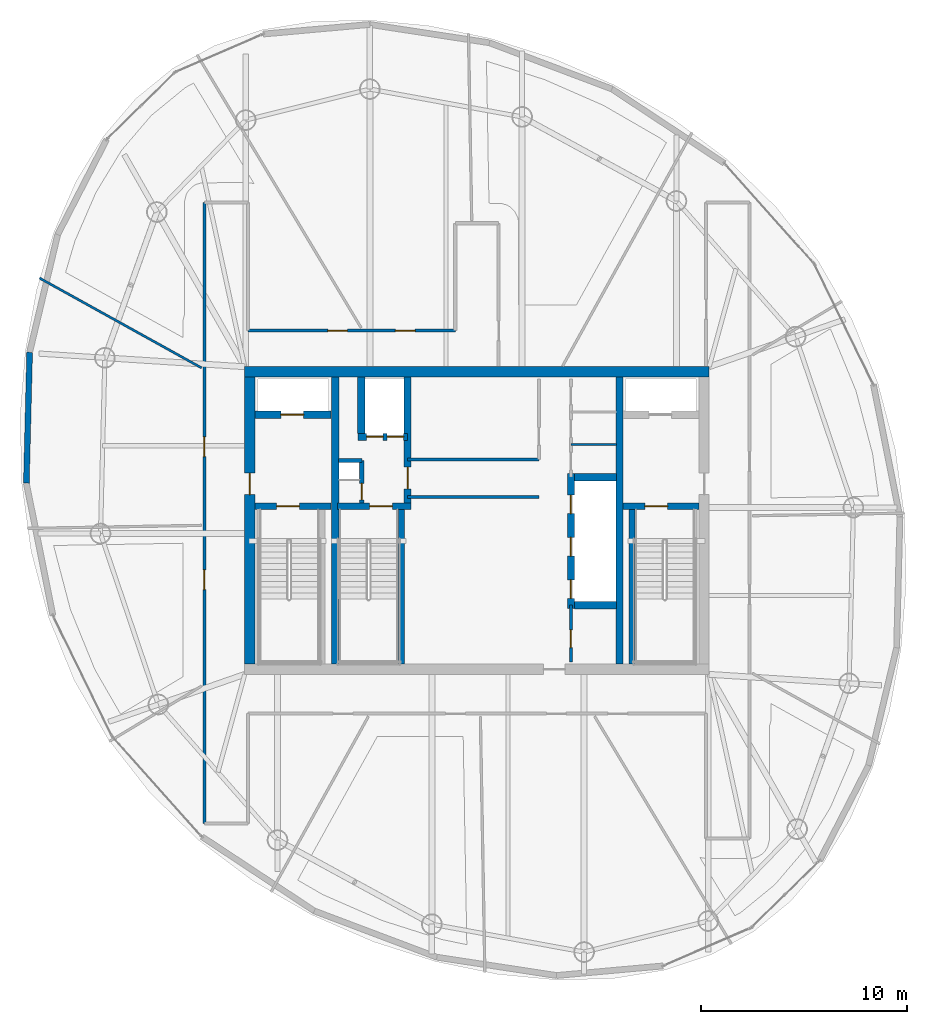
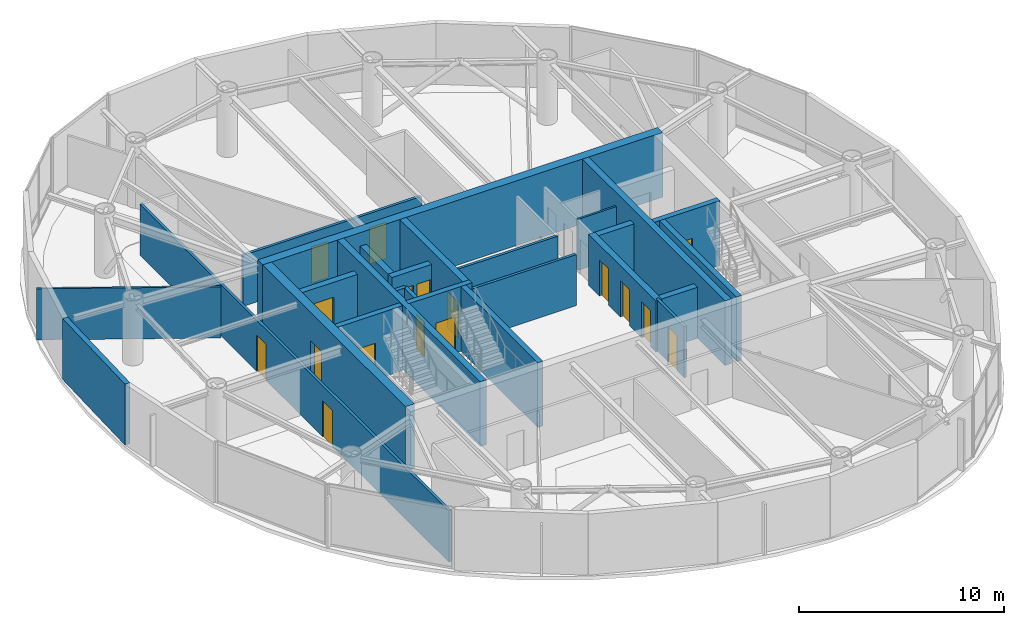
# One storey, part 16 of 21: 26 walls, 17 doors, 17 openings.
"""IFC4 building model written with IfcOpenShell, lengths in metres."""

from ifc_helpers import new_model, si_unit, direction, frame, frame_2d, origin, place, context, subcontext, project, spatial, rectangle, extrude, material, layer, layer_set, type_object, element, fill, save


model = new_model("IFC4")

# Units and contexts
model_context = context("Model", 3, precision=1e-05, world=origin(), true_north=direction((0.0, 1.0)))
body_context = subcontext(model_context, "Body", "Model", "MODEL_VIEW")
ifc_project = project(units=[si_unit("LENGTHUNIT", "METRE"), si_unit("AREAUNIT", "SQUARE_METRE"), si_unit("VOLUMEUNIT", "CUBIC_METRE"), si_unit("PLANEANGLEUNIT", "RADIAN"), si_unit("MASSUNIT", "GRAM", prefix="KILO")], contexts=[model_context])

# Site, building, storey
site_placement = place(None, origin())
site = spatial("IfcSite", under=ifc_project, at=site_placement, CompositionType="ELEMENT")
building_placement = place(site_placement, origin())
building = spatial("IfcBuilding", under=site, at=building_placement, Name="Bramvorn Convention Spire", CompositionType="ELEMENT")
storey_placement = place(building_placement, frame((0.0, 0.0, 257.449951171875)))
storey = spatial("IfcBuildingStorey", under=building, at=storey_placement, Name="L65", CompositionType="ELEMENT", Elevation=257.449951171875)

# Wall
ifc_material_1 = material(Name="Concrete C50/60", Category="concrete")
ifc_layer_1 = layer(ifc_material_1, 0.5)
ifc_layer_set_1 = layer_set([ifc_layer_1], Name="Concrete C50/60 - WL-CORE-500")
wall_type_1 = type_object("IfcWallType", Name="WL-CORE-500", PredefinedType="SHEAR", material=ifc_layer_set_1)
wall_1_placement = place(storey_placement, frame((26.75, 33.199951171875, 0.0), z_axis=(0.0, 0.0, 1.0), x_axis=(1.0, 0.0, 0.0)))
element("IfcWall", 1, at=wall_1_placement, inside=storey, type_object=wall_type_1, Name="L65 North RC core shear wall", PredefinedType="SHEAR", context=body_context, shape_type="SweptSolid", body=[
    extrude(rectangle(XDim=22.5, YDim=0.5, at=frame_2d((11.25, 0.0))), origin(), (0.0, 0.0, 1.0), 3.85009765625),
])

# Wall, opening, door
wall_2_placement = place(storey_placement, frame((27.0, 19.050048828125, 0.0), z_axis=(0.0, 0.0, 1.0), x_axis=(0.0, 1.0, 0.0)))
wall_2 = element("IfcWall", 2, at=wall_2_placement, inside=storey, type_object=wall_type_1, Name="L65 West RC core shear wall", PredefinedType="SHEAR", context=body_context, shape_type="SweptSolid", body=[
    extrude(rectangle(XDim=13.89990234375, YDim=0.5, at=frame_2d((6.949951171875, 0.0))), origin(), (0.0, 0.0, 1.0), 3.85009765625),
])
opening_1_placement = place(wall_2_placement, frame((8.199951171875, 0.0, 0.0)))
opening_1 = element("IfcOpeningElement", 3, at=opening_1_placement, cuts=wall_2, Name="Opening DL-105", PredefinedType="OPENING", context=body_context, shape_type="SweptSolid", body=[
    extrude(rectangle(XDim=1.050048828125, YDim=2.14990234375, at=frame_2d((0.52490234375, 1.074951171875))), frame((0.0, 0.260009765625, 0.0), z_axis=(0.0, -1.0, 0.0), x_axis=(1.0, 0.0, 0.0)), (0.0, 0.0, 1.0), 0.52001953125),
])
ifc_material_2 = material(Name="Smoke-Sealed Fire Lobby Timber-Core Door", Category="wood")
door_type_1 = type_object("IfcDoorType", Name="DR-LOBBY-1050", OperationType="NOTDEFINED", PredefinedType="DOOR", material=ifc_material_2)
door_1_placement = place(opening_1_placement, origin())
door_1 = element("IfcDoor", 4, at=door_1_placement, inside=storey, type_object=door_type_1, Name="L65 West Firefighting Lobby corridor door", OperationType="SINGLE_SWING_RIGHT", OverallHeight=2.14990234375, OverallWidth=1.050048828125, PredefinedType="DOOR", context=body_context, shape_type="SweptSolid", body=[
    extrude(rectangle(XDim=1.050048828125, YDim=2.14990234375, at=frame_2d((0.52490234375, 1.074951171875))), frame((0.0, 0.02490234375, 0.0), z_axis=(0.0, -1.0, 0.0), x_axis=(1.0, 0.0, 0.0)), (0.0, 0.0, 1.0), 0.050048828125),
])
fill(opening_1, door_1)

# Walls
ifc_layer_2 = layer(ifc_material_1, 0.35009765625)
ifc_layer_set_2 = layer_set([ifc_layer_2], Name="Concrete C50/60 - WL-CORE-INT-350")
wall_type_2 = type_object("IfcWallType", Name="WL-CORE-INT-350", PredefinedType="SHEAR", material=ifc_layer_set_2)
for number, where, z_axis, x_axis, name in (
    (5, (31.1298828125, 19.050048828125, 0.0), (0.0, 0.0, 1.0), (0.0, 1.0, 0.0), "L65 West internal core shear web"),
    (6, (44.89990234375, 19.050048828125, 0.0), (0.0, 0.0, 1.0), (0.0, 1.0, 0.0), "L65 East internal core shear web"),
):
    element("IfcWall", number, at=place(storey_placement, frame(where, z_axis=z_axis, x_axis=x_axis)), inside=storey, type_object=wall_type_2, Name=name, PredefinedType="SHEAR", context=body_context, shape_type="SweptSolid", body=[
        extrude(rectangle(XDim=13.89990234375, YDim=0.35009765625, at=frame_2d((6.949951171875, 0.0))), origin(), (0.0, 0.0, 1.0), 3.85009765625),
    ])

# Wall, opening, door
wall_3_placement = place(storey_placement, frame((27.25, 31.1201171875, 0.0), z_axis=(0.0, 0.0, 1.0), x_axis=(1.0, 0.0, 0.0)))
wall_3 = element("IfcWall", 7, at=wall_3_placement, inside=storey, type_object=wall_type_2, Name="L65 FE1 shaft front wall", PredefinedType="SHEAR", context=body_context, shape_type="SweptSolid", body=[
    extrude(rectangle(XDim=3.669921875, YDim=0.35009765625, at=frame_2d((1.8349609375, 0.0))), origin(), (0.0, 0.0, 1.0), 3.0400390625),
])
opening_2_placement = place(wall_3_placement, frame((1.25, 0.0, 0.0)))
opening_2 = element("IfcOpeningElement", 8, at=opening_2_placement, cuts=wall_3, Name="Opening LD-110", PredefinedType="OPENING", context=body_context, shape_type="SweptSolid", body=[
    extrude(rectangle(XDim=1.10009765625, YDim=2.14990234375, at=frame_2d((0.550048828125, 1.074951171875))), frame((0.0, 0.18505859375, 0.0), z_axis=(0.0, -1.0, 0.0), x_axis=(1.0, 0.0, 0.0)), (0.0, 0.0, 1.0), 0.3701171875),
])
ifc_material_3 = material(Name="Firefighting & Service Lift Sliding Landing Door", Category="steel")
door_type_2 = type_object("IfcDoorType", Name="DR-LIFT-LD-1100", OperationType="NOTDEFINED", PredefinedType="DOOR", material=ifc_material_3)
door_2_placement = place(opening_2_placement, origin())
door_2 = element("IfcDoor", 9, at=door_2_placement, inside=storey, type_object=door_type_2, Name="L65 Lift FE1 Sliding Landing Door", OperationType="SLIDING_TO_LEFT", OverallHeight=2.14990234375, OverallWidth=1.10009765625, PredefinedType="DOOR", context=body_context, shape_type="SweptSolid", body=[
    extrude(rectangle(XDim=1.10009765625, YDim=2.14990234375, at=frame_2d((0.550048828125, 1.074951171875))), frame((0.0, 0.02490234375, 0.0), z_axis=(0.0, -1.0, 0.0), x_axis=(1.0, 0.0, 0.0)), (0.0, 0.0, 1.0), 0.050048828125),
])
fill(opening_2, door_2)

wall_4_placement = place(storey_placement, frame((34.639892578125, 26.68994140625, 0.0), z_axis=(0.0, 0.0, 1.0), x_axis=(0.0, 1.0, 0.0)))
wall_4 = element("IfcWall", 10, at=wall_4_placement, inside=storey, type_object=wall_type_2, Name="L65 SV east core shaft wall", PredefinedType="SHEAR", context=body_context, shape_type="SweptSolid", body=[
    extrude(rectangle(XDim=6.260009765625, YDim=0.35009765625, at=frame_2d((3.1298828125, 0.0))), origin(), (0.0, 0.0, 1.0), 3.85009765625),
])
opening_3_placement = place(wall_4_placement, frame((0.85009765625, 0.0, 0.0)))
opening_3 = element("IfcOpeningElement", 11, at=opening_3_placement, cuts=wall_4, Name="Opening DL-105", PredefinedType="OPENING", context=body_context, shape_type="SweptSolid", body=[
    extrude(rectangle(XDim=1.050048828125, YDim=2.14990234375, at=frame_2d((0.52490234375, 1.074951171875))), frame((0.0, 0.18505859375, 0.0), z_axis=(0.0, -1.0, 0.0), x_axis=(1.0, 0.0, 0.0)), (0.0, 0.0, 1.0), 0.3701171875),
])
door_3_placement = place(opening_3_placement, origin())
door_3 = element("IfcDoor", 12, at=door_3_placement, inside=storey, type_object=door_type_1, Name="L65 Core cross-passage door", OperationType="SINGLE_SWING_RIGHT", OverallHeight=2.14990234375, OverallWidth=1.050048828125, PredefinedType="DOOR", context=body_context, shape_type="SweptSolid", body=[
    extrude(rectangle(XDim=1.050048828125, YDim=2.14990234375, at=frame_2d((0.52490234375, 1.074951171875))), frame((0.0, 0.02490234375, 0.0), z_axis=(0.0, -1.0, 0.0), x_axis=(1.0, 0.0, 0.0)), (0.0, 0.0, 1.0), 0.050048828125),
])
fill(opening_3, door_3)

# Wall, openings, doors
wall_5_placement = place(storey_placement, frame((32.22998046875, 30.050048828125, 0.0), z_axis=(0.0, 0.0, 1.0), x_axis=(1.0, 0.0, 0.0)))
wall_5 = element("IfcWall", 13, at=wall_5_placement, inside=storey, type_object=wall_type_2, Name="L65 SV1/SV2 shaft front wall", PredefinedType="SHEAR", context=body_context, shape_type="SweptSolid", body=[
    extrude(rectangle(XDim=2.409912109375, YDim=0.35009765625, at=frame_2d((1.205078125, 0.0))), origin(), (0.0, 0.0, 1.0), 3.0400390625),
])
opening_4_placement = place(wall_5_placement, frame((0.419921875, 0.0, 0.0)))
opening_4 = element("IfcOpeningElement", 14, at=opening_4_placement, cuts=wall_5, Name="Opening LD-080", PredefinedType="OPENING", context=body_context, shape_type="SweptSolid", body=[
    extrude(rectangle(XDim=0.800048828125, YDim=2.14990234375, at=frame_2d((0.39990234375, 1.074951171875))), frame((0.0, 0.18505859375, 0.0), z_axis=(0.0, -1.0, 0.0), x_axis=(1.0, 0.0, 0.0)), (0.0, 0.0, 1.0), 0.3701171875),
])
opening_5_placement = place(wall_5_placement, frame((1.419921875, 0.0, 0.0)))
opening_5 = element("IfcOpeningElement", 15, at=opening_5_placement, cuts=wall_5, Name="Opening LD-080", PredefinedType="OPENING", context=body_context, shape_type="SweptSolid", body=[
    extrude(rectangle(XDim=0.800048828125, YDim=2.14990234375, at=frame_2d((0.39990234375, 1.074951171875))), frame((0.0, 0.18505859375, 0.0), z_axis=(0.0, -1.0, 0.0), x_axis=(1.0, 0.0, 0.0)), (0.0, 0.0, 1.0), 0.3701171875),
])
ifc_material_4 = material(Name="Service Lift Bi-Parting Landing Door", Category="steel")
door_type_3 = type_object("IfcDoorType", Name="DR-LIFT-LD-800", OperationType="NOTDEFINED", PredefinedType="DOOR", material=ifc_material_4)
door_4_placement = place(opening_4_placement, origin())
door_4 = element("IfcDoor", 16, at=door_4_placement, inside=storey, type_object=door_type_3, Name="L65 Lift SV1 Sliding Landing Door", OperationType="SLIDING_TO_LEFT", OverallHeight=2.14990234375, OverallWidth=0.800048828125, PredefinedType="DOOR", context=body_context, shape_type="SweptSolid", body=[
    extrude(rectangle(XDim=0.800048828125, YDim=2.14990234375, at=frame_2d((0.39990234375, 1.074951171875))), frame((0.0, 0.02490234375, 0.0), z_axis=(0.0, -1.0, 0.0), x_axis=(1.0, 0.0, 0.0)), (0.0, 0.0, 1.0), 0.050048828125),
])
fill(opening_4, door_4)
door_5_placement = place(opening_5_placement, origin())
door_5 = element("IfcDoor", 17, at=door_5_placement, inside=storey, type_object=door_type_3, Name="L65 Lift SV2 Sliding Landing Door", OperationType="SLIDING_TO_LEFT", OverallHeight=2.14990234375, OverallWidth=0.800048828125, PredefinedType="DOOR", context=body_context, shape_type="SweptSolid", body=[
    extrude(rectangle(XDim=0.800048828125, YDim=2.14990234375, at=frame_2d((0.39990234375, 1.074951171875))), frame((0.0, 0.02490234375, 0.0), z_axis=(0.0, -1.0, 0.0), x_axis=(1.0, 0.0, 0.0)), (0.0, 0.0, 1.0), 0.050048828125),
])
fill(opening_5, door_5)

# Wall
wall_6_placement = place(storey_placement, frame((32.39990234375, 30.219970703125, 0.0), z_axis=(0.0, 0.0, 1.0), x_axis=(0.0, 1.0, 0.0)))
element("IfcWall", 18, at=wall_6_placement, inside=storey, type_object=wall_type_2, Name="L65 SV1 west hoistway wall", PredefinedType="SHEAR", context=body_context, shape_type="SweptSolid", body=[
    extrude(rectangle(XDim=2.72998046875, YDim=0.35009765625, at=frame_2d((1.364990234375, 0.0))), origin(), (0.0, 0.0, 1.0), 3.0400390625),
])

# Wall, openings, doors
wall_7_placement = place(storey_placement, frame((42.550048828125, 21.72998046875, 0.0), z_axis=(0.0, 0.0, 1.0), x_axis=(0.0, 1.0, 0.0)))
wall_7 = element("IfcWall", 19, at=wall_7_placement, inside=storey, type_object=wall_type_2, Name="L65 High-rise lift bank west wall", PredefinedType="SHEAR", context=body_context, shape_type="SweptSolid", body=[
    extrude(rectangle(XDim=6.5400390625, YDim=0.35009765625, at=frame_2d((3.27001953125, 0.0))), origin(), (0.0, 0.0, 1.0), 3.0400390625),
])
opening_6_placement = place(wall_7_placement, frame((0.5, 0.0, 0.0)))
opening_6 = element("IfcOpeningElement", 20, at=opening_6_placement, cuts=wall_7, Name="Opening LD-090", PredefinedType="OPENING", context=body_context, shape_type="SweptSolid", body=[
    extrude(rectangle(XDim=0.89990234375, YDim=2.14990234375, at=frame_2d((0.449951171875, 1.074951171875))), frame((0.0, 0.18505859375, 0.0), z_axis=(0.0, -1.0, 0.0), x_axis=(1.0, 0.0, 0.0)), (0.0, 0.0, 1.0), 0.3701171875),
])
opening_7_placement = place(wall_7_placement, frame((2.550048828125, 0.0, 0.0)))
opening_7 = element("IfcOpeningElement", 21, at=opening_7_placement, cuts=wall_7, Name="Opening LD-090", PredefinedType="OPENING", context=body_context, shape_type="SweptSolid", body=[
    extrude(rectangle(XDim=0.89990234375, YDim=2.14990234375, at=frame_2d((0.449951171875, 1.074951171875))), frame((0.0, 0.18505859375, 0.0), z_axis=(0.0, -1.0, 0.0), x_axis=(1.0, 0.0, 0.0)), (0.0, 0.0, 1.0), 0.3701171875),
])
opening_8_placement = place(wall_7_placement, frame((4.60009765625, 0.0, 0.0)))
opening_8 = element("IfcOpeningElement", 22, at=opening_8_placement, cuts=wall_7, Name="Opening LD-090", PredefinedType="OPENING", context=body_context, shape_type="SweptSolid", body=[
    extrude(rectangle(XDim=0.89990234375, YDim=2.14990234375, at=frame_2d((0.449951171875, 1.074951171875))), frame((0.0, 0.18505859375, 0.0), z_axis=(0.0, -1.0, 0.0), x_axis=(1.0, 0.0, 0.0)), (0.0, 0.0, 1.0), 0.3701171875),
])
ifc_material_5 = material(Name="Bi-Parting Fire-Rated Lift Landing Door", Category="steel")
door_type_4 = type_object("IfcDoorType", Name="DR-LIFT-LD-900", OperationType="NOTDEFINED", PredefinedType="DOOR", material=ifc_material_5)
door_6_placement = place(opening_6_placement, origin())
door_6 = element("IfcDoor", 23, at=door_6_placement, inside=storey, type_object=door_type_4, Name="L65 Lift PH1 Sliding Landing Door", OperationType="SLIDING_TO_LEFT", OverallHeight=2.14990234375, OverallWidth=0.89990234375, PredefinedType="DOOR", context=body_context, shape_type="SweptSolid", body=[
    extrude(rectangle(XDim=0.89990234375, YDim=2.14990234375, at=frame_2d((0.449951171875, 1.074951171875))), frame((0.0, 0.02490234375, 0.0), z_axis=(0.0, -1.0, 0.0), x_axis=(1.0, 0.0, 0.0)), (0.0, 0.0, 1.0), 0.050048828125),
])
fill(opening_6, door_6)
door_7_placement = place(opening_7_placement, origin())
door_7 = element("IfcDoor", 24, at=door_7_placement, inside=storey, type_object=door_type_4, Name="L65 Lift PH2 Sliding Landing Door", OperationType="SLIDING_TO_LEFT", OverallHeight=2.14990234375, OverallWidth=0.89990234375, PredefinedType="DOOR", context=body_context, shape_type="SweptSolid", body=[
    extrude(rectangle(XDim=0.89990234375, YDim=2.14990234375, at=frame_2d((0.449951171875, 1.074951171875))), frame((0.0, 0.02490234375, 0.0), z_axis=(0.0, -1.0, 0.0), x_axis=(1.0, 0.0, 0.0)), (0.0, 0.0, 1.0), 0.050048828125),
])
fill(opening_7, door_7)
door_8_placement = place(opening_8_placement, origin())
door_8 = element("IfcDoor", 25, at=door_8_placement, inside=storey, type_object=door_type_4, Name="L65 Lift PH3 Sliding Landing Door", OperationType="SLIDING_TO_LEFT", OverallHeight=2.14990234375, OverallWidth=0.89990234375, PredefinedType="DOOR", context=body_context, shape_type="SweptSolid", body=[
    extrude(rectangle(XDim=0.89990234375, YDim=2.14990234375, at=frame_2d((0.449951171875, 1.074951171875))), frame((0.0, 0.02490234375, 0.0), z_axis=(0.0, -1.0, 0.0), x_axis=(1.0, 0.0, 0.0)), (0.0, 0.0, 1.0), 0.050048828125),
])
fill(opening_8, door_8)

# Walls
for number, where, z_axis, x_axis, name in (
    (26, (42.719970703125, 21.89990234375, 0.0), (0.0, 0.0, 1.0), (1.0, 0.0, 0.0), "L65 High-rise lift bank south wall"),
    (27, (42.719970703125, 28.10009765625, 0.0), (0.0, 0.0, 1.0), (1.0, 0.0, 0.0), "L65 High-rise lift bank north wall"),
):
    element("IfcWall", number, at=place(storey_placement, frame(where, z_axis=z_axis, x_axis=x_axis)), inside=storey, type_object=wall_type_2, Name=name, PredefinedType="SHEAR", context=body_context, shape_type="SweptSolid", body=[
        extrude(rectangle(XDim=2.030029296875, YDim=0.35009765625, at=frame_2d((1.01513671875, 0.0))), origin(), (0.0, 0.0, 1.0), 3.0400390625),
    ])
ifc_material_6 = material(Name="Precast Concrete C40/50 with Bronze Terracotta Rainscreen", Category="masonry")
ifc_layer_3 = layer(ifc_material_6, 0.300048828125)
ifc_layer_set_3 = layer_set([ifc_layer_3], Name="Precast Concrete C40/50 with Bronze Terracotta Rainscreen - WL-EXT-BRONZE-300")
wall_type_3 = type_object("IfcWallType", Name="WL-EXT-BRONZE-300", PredefinedType="SOLIDWALL", material=ifc_layer_set_3)
wall_8_placement = place(storey_placement, frame((16.174072265625, 27.809326171875, 0.0), z_axis=(0.0, 0.0, 1.0), x_axis=(0.024932590226, 0.999689134654, 0.0)))
element("IfcWall", 28, at=wall_8_placement, inside=storey, type_object=wall_type_3, Name="L65 expressed bronze Gothic lancet pier wall 16", PredefinedType="SOLIDWALL", context=body_context, shape_type="SweptSolid", body=[
    extrude(rectangle(XDim=6.34521484375, YDim=0.280029296875, at=frame_2d((3.172607421875, 0.0))), origin(), (0.0, 0.0, 1.0), 3.625),
])
ifc_material_7 = material(Name="Lightweight En-Suite & Wet-Wall Partition", Category="gypsum")
ifc_layer_4 = layer(ifc_material_7, 0.110107421875)
ifc_layer_set_4 = layer_set([ifc_layer_4], Name="Lightweight En-Suite & Wet-Wall Partition - WL-PART-110")
wall_type_4 = type_object("IfcWallType", Name="WL-PART-110", PredefinedType="PARTITIONING", material=ifc_layer_set_4)
wall_9_placement = place(storey_placement, frame((42.550048828125, 29.679931640625, 0.0), z_axis=(0.0, 0.0, 1.0), x_axis=(1.0, 0.0, 0.0)))
element("IfcWall", 29, at=wall_9_placement, inside=storey, type_object=wall_type_4, Name="L65 KC NE div 1", PredefinedType="PARTITIONING", context=body_context, shape_type="SweptSolid", body=[
    extrude(rectangle(XDim=2.199951171875, YDim=0.110107421875, at=frame_2d((1.10009765625, 0.0))), origin(), (0.0, 0.0, 1.0), 3.0400390625),
])
wall_10_placement = place(storey_placement, frame((24.659912109375, 33.39453125, 0.0), z_axis=(0.0, 0.0, 1.0), x_axis=(-0.874619863553, 0.484809338069, 0.0)))
element("IfcWall", 30, at=wall_10_placement, inside=storey, type_object=wall_type_4, Name="L65 Tenant suite partition 6", PredefinedType="PARTITIONING", context=body_context, shape_type="SweptSolid", body=[
    extrude(rectangle(XDim=8.979248046875, YDim=0.110107421875, at=frame_2d((4.48974609375, 0.0))), origin(), (0.0, 0.0, 1.0), 3.0400390625),
])
ifc_material_8 = material(Name="Acoustic Metal-Stud Tenant/Corridor Partition", Category="gypsum")
ifc_layer_5 = layer(ifc_material_8, 0.14990234375)
ifc_layer_set_5 = layer_set([ifc_layer_5], Name="Acoustic Metal-Stud Tenant/Corridor Partition - WL-PART-150")
wall_type_5 = type_object("IfcWallType", Name="WL-PART-150", PredefinedType="PARTITIONING", material=ifc_layer_set_5)
for number, where, z_axis, x_axis, name in (
    (31, (34.639892578125, 27.14990234375, 0.0), (0.0, 0.0, 1.0), (1.0, 0.0, 0.0), "L65 Cross-core passage south wall"),
    (32, (34.639892578125, 28.949951171875, 0.0), (0.0, 0.0, 1.0), (1.0, 0.0, 0.0), "L65 Cross-core passage north wall"),
):
    element("IfcWall", number, at=place(storey_placement, frame(where, z_axis=z_axis, x_axis=x_axis)), inside=storey, type_object=wall_type_5, Name=name, PredefinedType="PARTITIONING", context=body_context, shape_type="SweptSolid", body=[
        extrude(rectangle(XDim=6.360107421875, YDim=0.14990234375, at=frame_2d((3.18017578125, 0.0))), origin(), (0.0, 0.0, 1.0), 3.0400390625),
    ])

# Wall, opening, door
wall_11_placement = place(storey_placement, frame((42.550048828125, 19.14990234375, 0.0), z_axis=(0.0, 0.0, 1.0), x_axis=(0.0, 1.0, 0.0)))
wall_11 = element("IfcWall", 33, at=wall_11_placement, inside=storey, type_object=wall_type_5, Name="L65 KC SE wall", PredefinedType="PARTITIONING", context=body_context, shape_type="SweptSolid", body=[
    extrude(rectangle(XDim=2.75, YDim=0.14990234375, at=frame_2d((1.375, 0.0))), origin(), (0.0, 0.0, 1.0), 3.0400390625),
])
opening_9_placement = place(wall_11_placement, frame((0.699951171875, 0.0, 0.0)))
opening_9 = element("IfcOpeningElement", 34, at=opening_9_placement, cuts=wall_11, Name="Opening DC-085", PredefinedType="OPENING", context=body_context, shape_type="SweptSolid", body=[
    extrude(rectangle(XDim=0.85009765625, YDim=2.10009765625, at=frame_2d((0.425048828125, 1.050048828125))), frame((0.0, 0.0849609375, 0.0), z_axis=(0.0, -1.0, 0.0), x_axis=(1.0, 0.0, 0.0)), (0.0, 0.0, 1.0), 0.169921875),
])
ifc_material_9 = material(Name="Fire-Rated Core Washroom & IDF Door", Category="wood")
door_type_5 = type_object("IfcDoorType", Name="DR-CORE-850", OperationType="NOTDEFINED", PredefinedType="DOOR", material=ifc_material_9)
door_9_placement = place(opening_9_placement, origin())
door_9 = element("IfcDoor", 35, at=door_9_placement, inside=storey, type_object=door_type_5, Name="L65 Core Valve & Riser Room door", OperationType="SINGLE_SWING_LEFT", OverallHeight=2.10009765625, OverallWidth=0.85009765625, PredefinedType="DOOR", context=body_context, shape_type="SweptSolid", body=[
    extrude(rectangle(XDim=0.85009765625, YDim=2.10009765625, at=frame_2d((0.425048828125, 1.050048828125))), frame((0.0, 0.02490234375, 0.0), z_axis=(0.0, -1.0, 0.0), x_axis=(1.0, 0.0, 0.0)), (0.0, 0.0, 1.0), 0.050048828125),
])
fill(opening_9, door_9)

# Wall, openings, doors
wall_12_placement = place(storey_placement, frame((26.89990234375, 35.199951171875, 0.0), z_axis=(0.0, 0.0, 1.0), x_axis=(1.0, 0.0, 0.0)))
wall_12 = element("IfcWall", 36, at=wall_12_placement, inside=storey, type_object=wall_type_5, Name="L65 North-west spur link wall", PredefinedType="PARTITIONING", context=body_context, shape_type="SweptSolid", body=[
    extrude(rectangle(XDim=10.050048828125, YDim=0.14990234375, at=frame_2d((5.02490234375, 0.0))), origin(), (0.0, 0.0, 1.0), 3.0400390625),
])
opening_10_placement = place(wall_12_placement, frame((7.1494140625, 0.0, 0.0)))
opening_10 = element("IfcOpeningElement", 37, at=opening_10_placement, cuts=wall_12, Name="Opening DH-095", PredefinedType="OPENING", context=body_context, shape_type="SweptSolid", body=[
    extrude(rectangle(XDim=0.949951171875, YDim=2.14990234375, at=frame_2d((0.47509765625, 1.074951171875))), frame((0.0, 0.0849609375, 0.0), z_axis=(0.0, -1.0, 0.0), x_axis=(1.0, 0.0, 0.0)), (0.0, 0.0, 1.0), 0.169921875),
])
opening_11_placement = place(wall_12_placement, frame((3.872314453125, 0.0, 0.0)))
opening_11 = element("IfcOpeningElement", 38, at=opening_11_placement, cuts=wall_12, Name="Opening DH-095", PredefinedType="OPENING", context=body_context, shape_type="SweptSolid", body=[
    extrude(rectangle(XDim=0.949951171875, YDim=2.14990234375, at=frame_2d((0.47509765625, 1.074951171875))), frame((0.0, 0.0849609375, 0.0), z_axis=(0.0, -1.0, 0.0), x_axis=(1.0, 0.0, 0.0)), (0.0, 0.0, 1.0), 0.169921875),
])
ifc_material_10 = material(Name="Solid-Core Acoustic Guestroom Entry Door", Category="wood")
door_type_6 = type_object("IfcDoorType", Name="DR-HOTEL-950", OperationType="NOTDEFINED", PredefinedType="DOOR", material=ifc_material_10)
door_10_placement = place(opening_10_placement, origin())
door_10 = element("IfcDoor", 39, at=door_10_placement, inside=storey, type_object=door_type_6, Name="L65 Associate Office Chamber 4 4 door", OperationType="SINGLE_SWING_LEFT", OverallHeight=2.14990234375, OverallWidth=0.949951171875, PredefinedType="DOOR", context=body_context, shape_type="SweptSolid", body=[
    extrude(rectangle(XDim=0.949951171875, YDim=2.14990234375, at=frame_2d((0.47509765625, 1.074951171875))), frame((0.0, 0.02490234375, 0.0), z_axis=(0.0, -1.0, 0.0), x_axis=(1.0, 0.0, 0.0)), (0.0, 0.0, 1.0), 0.050048828125),
])
fill(opening_10, door_10)
door_11_placement = place(opening_11_placement, origin())
door_11 = element("IfcDoor", 40, at=door_11_placement, inside=storey, type_object=door_type_6, Name="L65 Associate Office Chamber 5 5 door", OperationType="SINGLE_SWING_RIGHT", OverallHeight=2.14990234375, OverallWidth=0.949951171875, PredefinedType="DOOR", context=body_context, shape_type="SweptSolid", body=[
    extrude(rectangle(XDim=0.949951171875, YDim=2.14990234375, at=frame_2d((0.47509765625, 1.074951171875))), frame((0.0, 0.02490234375, 0.0), z_axis=(0.0, -1.0, 0.0), x_axis=(1.0, 0.0, 0.0)), (0.0, 0.0, 1.0), 0.050048828125),
])
fill(opening_11, door_11)

wall_13_placement = place(storey_placement, frame((24.800048828125, 11.3212890625, 0.0), z_axis=(0.0, 0.0, 1.0), x_axis=(0.0, 1.0, 0.0)))
wall_13 = element("IfcWall", 41, at=wall_13_placement, inside=storey, type_object=wall_type_5, Name="L65 West N-S gallery outer wall", PredefinedType="PARTITIONING", context=body_context, shape_type="SweptSolid", body=[
    extrude(rectangle(XDim=30.07861328125, YDim=0.14990234375, at=frame_2d((15.039306640625, 0.0))), origin(), (0.0, 0.0, 1.0), 3.0400390625),
])
opening_12_placement = place(wall_13_placement, frame((17.780517578125, 0.0, 0.0)))
opening_12 = element("IfcOpeningElement", 42, at=opening_12_placement, cuts=wall_13, Name="Opening DH-095", PredefinedType="OPENING", context=body_context, shape_type="SweptSolid", body=[
    extrude(rectangle(XDim=0.949951171875, YDim=2.14990234375, at=frame_2d((0.47509765625, 1.074951171875))), frame((0.0, 0.0849609375, 0.0), z_axis=(0.0, -1.0, 0.0), x_axis=(1.0, 0.0, 0.0)), (0.0, 0.0, 1.0), 0.169921875),
])
opening_13_placement = place(wall_13_placement, frame((11.338623046875, 0.0, 0.0)))
opening_13 = element("IfcOpeningElement", 43, at=opening_13_placement, cuts=wall_13, Name="Opening DH-095", PredefinedType="OPENING", context=body_context, shape_type="SweptSolid", body=[
    extrude(rectangle(XDim=0.949951171875, YDim=2.14990234375, at=frame_2d((0.47509765625, 1.074951171875))), frame((0.0, 0.0849609375, 0.0), z_axis=(0.0, -1.0, 0.0), x_axis=(1.0, 0.0, 0.0)), (0.0, 0.0, 1.0), 0.169921875),
])
door_12_placement = place(opening_12_placement, origin())
door_12 = element("IfcDoor", 44, at=door_12_placement, inside=storey, type_object=door_type_6, Name="L65 Associate Office Chamber 6 6 door", OperationType="SINGLE_SWING_LEFT", OverallHeight=2.14990234375, OverallWidth=0.949951171875, PredefinedType="DOOR", context=body_context, shape_type="SweptSolid", body=[
    extrude(rectangle(XDim=0.949951171875, YDim=2.14990234375, at=frame_2d((0.47509765625, 1.074951171875))), frame((0.0, 0.02490234375, 0.0), z_axis=(0.0, -1.0, 0.0), x_axis=(1.0, 0.0, 0.0)), (0.0, 0.0, 1.0), 0.050048828125),
])
fill(opening_12, door_12)
door_13_placement = place(opening_13_placement, origin())
door_13 = element("IfcDoor", 45, at=door_13_placement, inside=storey, type_object=door_type_6, Name="L65 Arbitration Meeting Room 1 7 door", OperationType="SINGLE_SWING_RIGHT", OverallHeight=2.14990234375, OverallWidth=0.949951171875, PredefinedType="DOOR", context=body_context, shape_type="SweptSolid", body=[
    extrude(rectangle(XDim=0.949951171875, YDim=2.14990234375, at=frame_2d((0.47509765625, 1.074951171875))), frame((0.0, 0.02490234375, 0.0), z_axis=(0.0, -1.0, 0.0), x_axis=(1.0, 0.0, 0.0)), (0.0, 0.0, 1.0), 0.050048828125),
])
fill(opening_13, door_13)

# Wall, opening, door
ifc_material_11 = material(Name="Gypsum Shaftwall & Rockwool Core Partition", Category="gypsum")
ifc_layer_6 = layer(ifc_material_11, 0.199951171875)
ifc_layer_set_6 = layer_set([ifc_layer_6], Name="Gypsum Shaftwall & Rockwool Core Partition - WL-PART-200-FR")
wall_type_6 = type_object("IfcWallType", Name="WL-PART-200-FR", PredefinedType="PARTITIONING", material=ifc_layer_set_6)
wall_14_placement = place(storey_placement, frame((32.419921875, 26.860107421875, 0.0), z_axis=(0.0, 0.0, 1.0), x_axis=(0.0, 1.0, 0.0)))
wall_14 = element("IfcWall", 46, at=wall_14_placement, inside=storey, type_object=wall_type_6, Name="L65 Telecom riser east wall", PredefinedType="PARTITIONING", context=body_context, shape_type="SweptSolid", body=[
    extrude(rectangle(XDim=2.039794921875, YDim=0.199951171875, at=frame_2d((1.02001953125, 0.0))), origin(), (0.0, 0.0, 1.0), 3.0400390625),
])
opening_14_placement = place(wall_14_placement, frame((0.139892578125, 0.0, 0.0)))
opening_14 = element("IfcOpeningElement", 47, at=opening_14_placement, cuts=wall_14, Name="Opening DR-080", PredefinedType="OPENING", context=body_context, shape_type="SweptSolid", body=[
    extrude(rectangle(XDim=0.800048828125, YDim=2.050048828125, at=frame_2d((0.39990234375, 1.02490234375))), frame((0.0, 0.10986328125, 0.0), z_axis=(0.0, -1.0, 0.0), x_axis=(1.0, 0.0, 0.0)), (0.0, 0.0, 1.0), 0.219970703125),
])
ifc_material_12 = material(Name="Flush Steel Riser Access Door", Category="steel")
door_type_7 = type_object("IfcDoorType", Name="DR-RISER-800", OperationType="NOTDEFINED", PredefinedType="DOOR", material=ifc_material_12)
door_14_placement = place(opening_14_placement, origin())
door_14 = element("IfcDoor", 48, at=door_14_placement, inside=storey, type_object=door_type_7, Name="L65 Telecom riser access door", OperationType="SINGLE_SWING_RIGHT", OverallHeight=2.050048828125, OverallWidth=0.800048828125, PredefinedType="DOOR", context=body_context, shape_type="SweptSolid", body=[
    extrude(rectangle(XDim=0.800048828125, YDim=2.050048828125, at=frame_2d((0.39990234375, 1.02490234375))), frame((0.0, 0.02490234375, 0.0), z_axis=(0.0, -1.0, 0.0), x_axis=(1.0, 0.0, 0.0)), (0.0, 0.0, 1.0), 0.050048828125),
])
fill(opening_14, door_14)

# Wall
wall_15_placement = place(storey_placement, frame((31.300048828125, 28.89990234375, 0.0), z_axis=(0.0, 0.0, 1.0), x_axis=(1.0, 0.0, 0.0)))
element("IfcWall", 49, at=wall_15_placement, inside=storey, type_object=wall_type_6, Name="L65 Telecom riser north wall", PredefinedType="PARTITIONING", context=body_context, shape_type="SweptSolid", body=[
    extrude(rectangle(XDim=1.119873046875, YDim=0.199951171875, at=frame_2d((0.56005859375, 0.0))), origin(), (0.0, 0.0, 1.0), 3.0400390625),
])

# Wall, opening, door
ifc_layer_7 = layer(ifc_material_1, 0.300048828125)
ifc_layer_set_7 = layer_set([ifc_layer_7], Name="Concrete C50/60 - WL-POD-STAIR-300")
wall_type_7 = type_object("IfcWallType", Name="WL-POD-STAIR-300", PredefinedType="SHEAR", material=ifc_layer_set_7)
wall_16_placement = place(storey_placement, frame((27.25, 26.68994140625, 0.0), z_axis=(0.0, 0.0, 1.0), x_axis=(1.0, 0.0, 0.0)))
wall_16 = element("IfcWall", 50, at=wall_16_placement, inside=storey, type_object=wall_type_7, Name="L65 ST1 north fire wall", PredefinedType="SHEAR", context=body_context, shape_type="SweptSolid", body=[
    extrude(rectangle(XDim=3.669921875, YDim=0.300048828125, at=frame_2d((1.8349609375, 0.0))), origin(), (0.0, 0.0, 1.0), 3.85009765625),
])
opening_15_placement = place(wall_16_placement, frame((1.050048828125, 0.0, 0.0)))
opening_15 = element("IfcOpeningElement", 51, at=opening_15_placement, cuts=wall_16, Name="Opening DS-110", PredefinedType="OPENING", context=body_context, shape_type="SweptSolid", body=[
    extrude(rectangle(XDim=1.10009765625, YDim=2.14990234375, at=frame_2d((0.550048828125, 1.074951171875))), frame((0.0, 0.159912109375, 0.0), z_axis=(0.0, -1.0, 0.0), x_axis=(1.0, 0.0, 0.0)), (0.0, 0.0, 1.0), 0.320068359375),
])
ifc_material_13 = material(Name="Fire-Rated Hollow Steel Stairwell Door", Category="steel")
door_type_8 = type_object("IfcDoorType", Name="DR-STAIR-1100", OperationType="NOTDEFINED", PredefinedType="DOOR", material=ifc_material_13)
door_15_placement = place(opening_15_placement, origin())
door_15 = element("IfcDoor", 52, at=door_15_placement, inside=storey, type_object=door_type_8, Name="L65 Stair ST1 fire door", OperationType="SINGLE_SWING_LEFT", OverallHeight=2.14990234375, OverallWidth=1.10009765625, PredefinedType="DOOR", context=body_context, shape_type="SweptSolid", body=[
    extrude(rectangle(XDim=1.10009765625, YDim=2.14990234375, at=frame_2d((0.550048828125, 1.074951171875))), frame((0.0, 0.02490234375, 0.0), z_axis=(0.0, -1.0, 0.0), x_axis=(1.0, 0.0, 0.0)), (0.0, 0.0, 1.0), 0.050048828125),
])
fill(opening_15, door_15)

wall_17_placement = place(storey_placement, frame((45.080078125, 26.68994140625, 0.0), z_axis=(0.0, 0.0, 1.0), x_axis=(1.0, 0.0, 0.0)))
wall_17 = element("IfcWall", 53, at=wall_17_placement, inside=storey, type_object=wall_type_7, Name="L65 ST2 north fire wall", PredefinedType="SHEAR", context=body_context, shape_type="SweptSolid", body=[
    extrude(rectangle(XDim=3.669921875, YDim=0.300048828125, at=frame_2d((1.8349609375, 0.0))), origin(), (0.0, 0.0, 1.0), 3.85009765625),
])
opening_16_placement = place(wall_17_placement, frame((1.050048828125, 0.0, 0.0)))
opening_16 = element("IfcOpeningElement", 54, at=opening_16_placement, cuts=wall_17, Name="Opening DS-110", PredefinedType="OPENING", context=body_context, shape_type="SweptSolid", body=[
    extrude(rectangle(XDim=1.10009765625, YDim=2.14990234375, at=frame_2d((0.550048828125, 1.074951171875))), frame((0.0, 0.159912109375, 0.0), z_axis=(0.0, -1.0, 0.0), x_axis=(1.0, 0.0, 0.0)), (0.0, 0.0, 1.0), 0.320068359375),
])
door_16_placement = place(opening_16_placement, origin())
door_16 = element("IfcDoor", 55, at=door_16_placement, inside=storey, type_object=door_type_8, Name="L65 Stair ST2 fire door", OperationType="SINGLE_SWING_RIGHT", OverallHeight=2.14990234375, OverallWidth=1.10009765625, PredefinedType="DOOR", context=body_context, shape_type="SweptSolid", body=[
    extrude(rectangle(XDim=1.10009765625, YDim=2.14990234375, at=frame_2d((0.550048828125, 1.074951171875))), frame((0.0, 0.02490234375, 0.0), z_axis=(0.0, -1.0, 0.0), x_axis=(1.0, 0.0, 0.0)), (0.0, 0.0, 1.0), 0.050048828125),
])
fill(opening_16, door_16)

# Walls
for number, where, z_axis, x_axis, name in (
    (56, (45.510009765625, 19.050048828125, 0.0), (0.0, 0.0, 1.0), (0.0, 1.0, 0.0), "L65 ST2 west bearing wall"),
    (57, (34.340087890625, 19.050048828125, 0.0), (0.0, 0.0, 1.0), (0.0, 1.0, 0.0), "L65 ST3 east bearing wall"),
):
    element("IfcWall", number, at=place(storey_placement, frame(where, z_axis=z_axis, x_axis=x_axis)), inside=storey, type_object=wall_type_7, Name=name, PredefinedType="SHEAR", context=body_context, shape_type="SweptSolid", body=[
        extrude(rectangle(XDim=7.5, YDim=0.300048828125, at=frame_2d((3.75, 0.0))), origin(), (0.0, 0.0, 1.0), 3.85009765625),
    ])

# Wall, opening, door
wall_18_placement = place(storey_placement, frame((31.25, 26.68994140625, 0.0), z_axis=(0.0, 0.0, 1.0), x_axis=(1.0, 0.0, 0.0)))
wall_18 = element("IfcWall", 58, at=wall_18_placement, inside=storey, type_object=wall_type_7, Name="L65 ST3 north lobby wall", PredefinedType="SHEAR", context=body_context, shape_type="SweptSolid", body=[
    extrude(rectangle(XDim=3.56005859375, YDim=0.300048828125, at=frame_2d((1.780029296875, 0.0))), origin(), (0.0, 0.0, 1.0), 3.85009765625),
])
opening_17_placement = place(wall_18_placement, frame((1.550048828125, 0.0, 0.0)))
opening_17 = element("IfcOpeningElement", 59, at=opening_17_placement, cuts=wall_18, Name="Opening DS-110", PredefinedType="OPENING", context=body_context, shape_type="SweptSolid", body=[
    extrude(rectangle(XDim=1.10009765625, YDim=2.14990234375, at=frame_2d((0.550048828125, 1.074951171875))), frame((0.0, 0.159912109375, 0.0), z_axis=(0.0, -1.0, 0.0), x_axis=(1.0, 0.0, 0.0)), (0.0, 0.0, 1.0), 0.320068359375),
])
door_17_placement = place(opening_17_placement, origin())
door_17 = element("IfcDoor", 60, at=door_17_placement, inside=storey, type_object=door_type_8, Name="L65 Stair ST3 fire door", OperationType="SINGLE_SWING_LEFT", OverallHeight=2.14990234375, OverallWidth=1.10009765625, PredefinedType="DOOR", context=body_context, shape_type="SweptSolid", body=[
    extrude(rectangle(XDim=1.10009765625, YDim=2.14990234375, at=frame_2d((0.550048828125, 1.074951171875))), frame((0.0, 0.02490234375, 0.0), z_axis=(0.0, -1.0, 0.0), x_axis=(1.0, 0.0, 0.0)), (0.0, 0.0, 1.0), 0.050048828125),
])
fill(opening_17, door_17)

save(model, "model.ifc")
